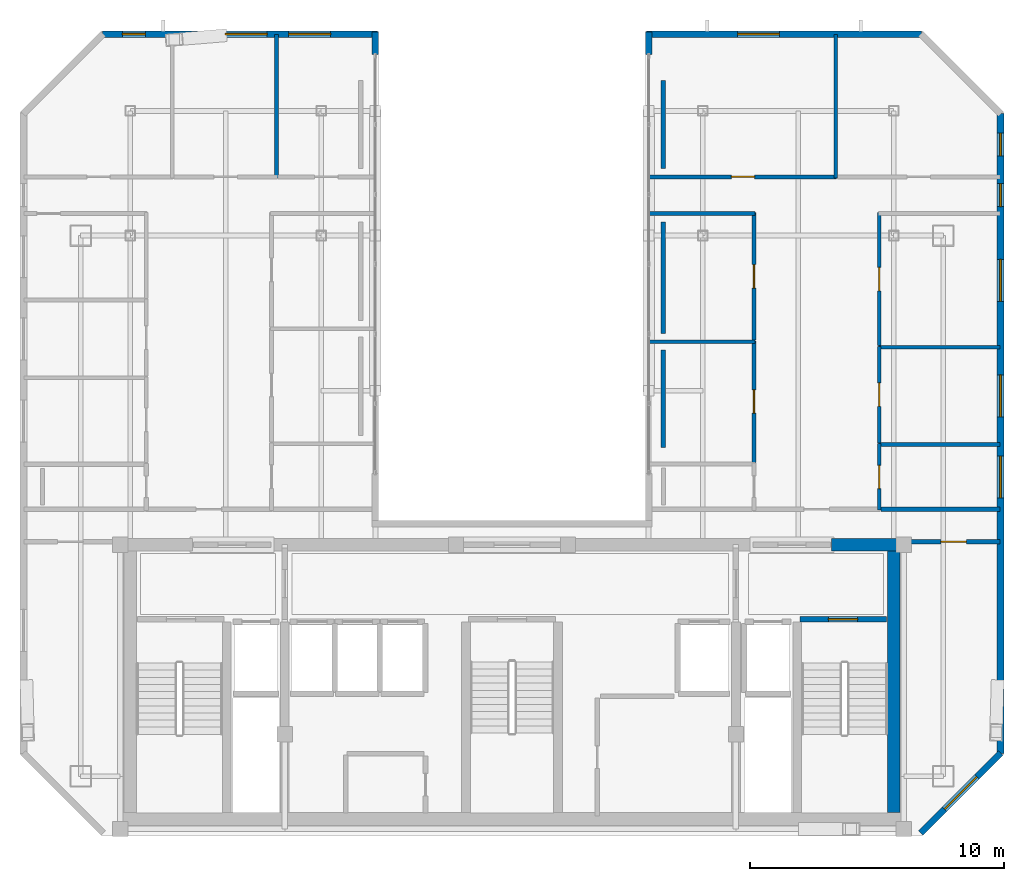
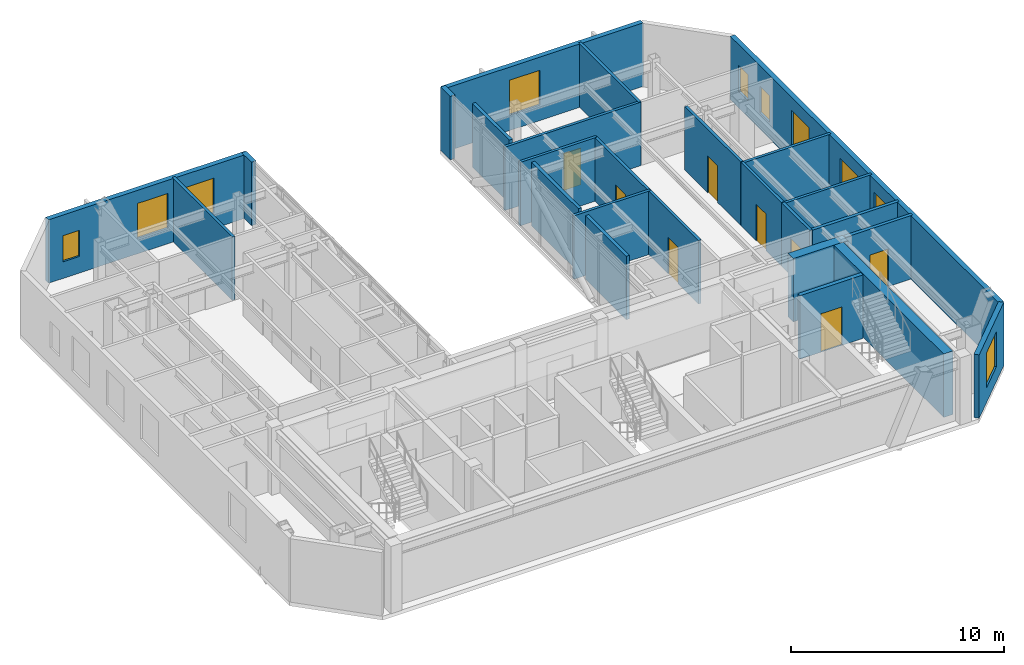
# One storey, part 16 of 18: 26 walls, 10 windows, 8 doors, 18 openings.
"""IFC4 building model written with IfcOpenShell, lengths in metres."""

from ifc_helpers import new_model, si_unit, direction, frame, frame_2d, origin, place, context, subcontext, project, spatial, rectangle, extrude, material, layer, layer_set, type_object, element, fill, save


model = new_model("IFC4")

# Units and contexts
model_context = context("Model", 3, precision=1e-05, world=origin(), true_north=direction((0.0, 1.0)))
body_context = subcontext(model_context, "Body", "Model", "MODEL_VIEW")
ifc_project = project(units=[si_unit("LENGTHUNIT", "METRE"), si_unit("AREAUNIT", "SQUARE_METRE"), si_unit("VOLUMEUNIT", "CUBIC_METRE"), si_unit("PLANEANGLEUNIT", "RADIAN"), si_unit("MASSUNIT", "GRAM", prefix="KILO")], contexts=[model_context])

# Site, building, storey
site_placement = place(None, origin())
site = spatial("IfcSite", under=ifc_project, at=site_placement, CompositionType="ELEMENT")
building_placement = place(site_placement, origin())
building = spatial("IfcBuilding", under=site, at=building_placement, Name="Ventersveld Concourse Tower", CompositionType="ELEMENT")
storey_placement = place(building_placement, frame((0.0, 0.0, 341.35009765625)))
storey = spatial("IfcBuildingStorey", under=building, at=storey_placement, Name="L84", CompositionType="ELEMENT", Elevation=341.35009765625)

# Walls
ifc_material_1 = material(Name="Concrete C50/60", Category="concrete")
ifc_layer_1 = layer(ifc_material_1, 0.5)
ifc_layer_set_1 = layer_set([ifc_layer_1], Name="Concrete C50/60")
wall_type_1 = type_object("IfcWallType", Name="WL-CORE-500", PredefinedType="SHEAR", material=ifc_layer_set_1)
wall_1_placement = place(storey_placement, frame((43.75, 0.919921875, 0.0), z_axis=(0.0, 0.0, 1.0), x_axis=(0.0, 1.0, 0.0)))
element("IfcWall", 1, at=wall_1_placement, inside=storey, type_object=wall_type_1, Name="L84 Rear Core East Shear Wall", PredefinedType="SHEAR", context=body_context, shape_type="SweptSolid", body=[
    extrude(rectangle(XDim=10.530029296875, YDim=0.5, at=frame_2d((5.26513671875, 0.0))), origin(), (0.0, 0.0, 1.0), 3.6298828125),
])
wall_2_placement = place(storey_placement, frame((41.300048828125, 11.449951171875, 0.0), z_axis=(0.0, 0.0, 1.0), x_axis=(1.0, 0.0, 0.0)))
element("IfcWall", 2, at=wall_2_placement, inside=storey, type_object=wall_type_1, Name="L84 Rear Core North Shear Wall NE", PredefinedType="SHEAR", context=body_context, shape_type="SweptSolid", body=[
    extrude(rectangle(XDim=2.949951171875, YDim=0.5, at=frame_2d((1.47509765625, 0.0))), origin(), (0.0, 0.0, 1.0), 3.6298828125),
])

# Wall, opening, door
ifc_material_2 = material(Name="Fire-rated autoclaved aerated masonry blockwork", Category="masonry")
ifc_layer_2 = layer(ifc_material_2, 0.179931640625)
ifc_layer_set_2 = layer_set([ifc_layer_2], Name="Fire-rated autoclaved aerated masonry blockwork")
wall_type_2 = type_object("IfcWallType", Name="WL-CORR-180", PredefinedType="PARTITIONING", material=ifc_layer_set_2)
wall_3_placement = place(storey_placement, frame((44.284912109375, 11.570068359375, 0.0), z_axis=(0.0, 0.0, 1.0), x_axis=(1.0, 0.0, 0.0)))
wall_3 = element("IfcWall", 3, at=wall_3_placement, inside=storey, type_object=wall_type_2, Name="L84 Interior Partition SP-L84-COR-E-SP-L84-SELNG", PredefinedType="PARTITIONING", context=body_context, shape_type="SweptSolid", body=[
    extrude(rectangle(XDim=3.64599609375, YDim=0.179931640625, at=frame_2d((1.822998046875, 0.0))), origin(), (0.0, 0.0, 1.0), 3.6298828125),
])
opening_1_placement = place(wall_3_placement, frame((1.322998046875, 0.0, 0.0)))
opening_1 = element("IfcOpeningElement", 4, at=opening_1_placement, cuts=wall_3, Name="Opening FD3", PredefinedType="OPENING", context=body_context, shape_type="SweptSolid", body=[
    extrude(rectangle(XDim=1.0, YDim=2.14990234375, at=frame_2d((0.5, 1.074951171875))), frame((0.0, 0.10009765625, 0.0), z_axis=(0.0, -1.0, 0.0), x_axis=(1.0, 0.0, 0.0)), (0.0, 0.0, 1.0), 0.199951171875),
])
ifc_material_3 = material(Name="Solid-core hardwood veneer timber", Category="wood")
door_type_1 = type_object("IfcDoorType", Name="DR-FLAT-100", OperationType="NOTDEFINED", PredefinedType="DOOR", material=ifc_material_3)
door_1_placement = place(opening_1_placement, origin())
door_1 = element("IfcDoor", 5, at=door_1_placement, inside=storey, type_object=door_type_1, Name="L84 Interior Door SP-L84-COR-E to SP-L84-SELNG (D-L84-3780)", OperationType="SINGLE_SWING_RIGHT", OverallHeight=2.14990234375, OverallWidth=1.0, PredefinedType="DOOR", context=body_context, shape_type="SweptSolid", body=[
    extrude(rectangle(XDim=1.0, YDim=2.14990234375, at=frame_2d((0.5, 1.074951171875))), frame((0.0, 0.02490234375, 0.0), z_axis=(0.0, -1.0, 0.0), x_axis=(1.0, 0.0, 0.0)), (0.0, 0.0, 1.0), 0.050048828125),
])
fill(opening_1, door_1)

# Walls
wall_4_placement = place(storey_placement, frame((43.245361328125, 12.840087890625, 0.0), z_axis=(0.0, 0.0, 1.0), x_axis=(1.0, 0.0, 0.0)))
element("IfcWall", 6, at=wall_4_placement, inside=storey, type_object=wall_type_2, Name="L84 Interior Partition SP-L84-COR-E-SP-L84-84EB-KIT", PredefinedType="PARTITIONING", context=body_context, shape_type="SweptSolid", body=[
    extrude(rectangle(XDim=4.685546875, YDim=0.179931640625, at=frame_2d((2.3427734375, 0.0))), origin(), (0.0, 0.0, 1.0), 3.6298828125),
])
wall_5_placement = place(storey_placement, frame((34.699951171875, 15.2666015625, 0.0), z_axis=(0.0, 0.0, 1.0), x_axis=(0.0, 1.0, 0.0)))
element("IfcWall", 7, at=wall_5_placement, inside=storey, type_object=wall_type_2, Name="L84 Room Enclosure Wall SP-L84-84EB-OFFL0", PredefinedType="PARTITIONING", context=body_context, shape_type="SweptSolid", body=[
    extrude(rectangle(XDim=3.83935546875, YDim=0.179931640625, at=frame_2d((1.919677734375, 0.0))), origin(), (0.0, 0.0, 1.0), 3.6298828125),
])
wall_6_placement = place(storey_placement, frame((34.699951171875, 19.755859375, 0.0), z_axis=(0.0, 0.0, 1.0), x_axis=(0.0, 1.0, 0.0)))
element("IfcWall", 8, at=wall_6_placement, inside=storey, type_object=wall_type_2, Name="L84 Room Enclosure Wall SP-L84-84EB-SEML2", PredefinedType="PARTITIONING", context=body_context, shape_type="SweptSolid", body=[
    extrude(rectangle(XDim=4.38720703125, YDim=0.179931640625, at=frame_2d((2.193603515625, 0.0))), origin(), (0.0, 0.0, 1.0), 3.6298828125),
])
wall_7_placement = place(storey_placement, frame((34.699951171875, 26.233154296875, 0.0), z_axis=(0.0, 0.0, 1.0), x_axis=(0.0, 1.0, 0.0)))
element("IfcWall", 9, at=wall_7_placement, inside=storey, type_object=wall_type_2, Name="L84 Room Enclosure Wall SP-L84-84EB-BR1", PredefinedType="PARTITIONING", context=body_context, shape_type="SweptSolid", body=[
    extrude(rectangle(XDim=3.45849609375, YDim=0.179931640625, at=frame_2d((1.729248046875, 0.0))), origin(), (0.0, 0.0, 1.0), 3.6298828125),
])

# Wall, opening, door
ifc_layer_3 = layer(ifc_material_2, 0.219970703125)
ifc_layer_set_3 = layer_set([ifc_layer_3], Name="Fire-rated autoclaved aerated masonry blockwork")
wall_type_3 = type_object("IfcWallType", Name="WL-HOIST-220", PredefinedType="SOLIDWALL", material=ifc_layer_set_3)
wall_8_placement = place(storey_placement, frame((40.06005859375, 8.52001953125, 0.0), z_axis=(0.0, 0.0, 1.0), x_axis=(1.0, 0.0, 0.0)))
wall_8 = element("IfcWall", 10, at=wall_8_placement, inside=storey, type_object=wall_type_3, Name="L84 Escape Stair ST02 Fire Wall", PredefinedType="SOLIDWALL", context=body_context, shape_type="SweptSolid", body=[
    extrude(rectangle(XDim=3.39990234375, YDim=0.219970703125, at=frame_2d((1.699951171875, 0.0))), origin(), (0.0, 0.0, 1.0), 3.6298828125),
])
opening_2_placement = place(wall_8_placement, frame((1.125, 0.0, 0.0)))
opening_2 = element("IfcOpeningElement", 11, at=opening_2_placement, cuts=wall_8, Name="Opening FD1", PredefinedType="OPENING", context=body_context, shape_type="SweptSolid", body=[
    extrude(rectangle(XDim=1.14990234375, YDim=2.199951171875, at=frame_2d((0.574951171875, 1.10009765625))), frame((0.0, 0.1201171875, 0.0), z_axis=(0.0, -1.0, 0.0), x_axis=(1.0, 0.0, 0.0)), (0.0, 0.0, 1.0), 0.239990234375),
])
ifc_material_4 = material(Name="Galvanised painted steel", Category="steel")
door_type_2 = type_object("IfcDoorType", Name="DR-STAIR-115", OperationType="NOTDEFINED", PredefinedType="DOOR", material=ifc_material_4)
door_2_placement = place(opening_2_placement, origin())
door_2 = element("IfcDoor", 12, at=door_2_placement, inside=storey, type_object=door_type_2, Name="L84 Escape Stair Door ST02 (SD-L84-3769)", OperationType="SINGLE_SWING_RIGHT", OverallHeight=2.199951171875, OverallWidth=1.14990234375, PredefinedType="DOOR", context=body_context, shape_type="SweptSolid", body=[
    extrude(rectangle(XDim=1.14990234375, YDim=2.199951171875, at=frame_2d((0.574951171875, 1.10009765625))), frame((0.0, 0.02490234375, 0.0), z_axis=(0.0, -1.0, 0.0), x_axis=(1.0, 0.0, 0.0)), (0.0, 0.0, 1.0), 0.050048828125),
])
fill(opening_2, door_2)

# Wall
ifc_material_5 = material(Name="Autoclaved aerated masonry blockwork", Category="masonry")
ifc_layer_4 = layer(ifc_material_5, 0.14990234375)
ifc_layer_set_4 = layer_set([ifc_layer_4], Name="Autoclaved aerated masonry blockwork")
wall_type_4 = type_object("IfcWallType", Name="WL-INT-150", PredefinedType="PARTITIONING", material=ifc_layer_set_4)
wall_9_placement = place(storey_placement, frame((19.489990234375, 25.873046875, 0.0), z_axis=(0.0, 0.0, 1.0), x_axis=(0.0, 1.0, 0.0)))
element("IfcWall", 13, at=wall_9_placement, inside=storey, type_object=wall_type_4, Name="L84 Interior Partition SP-L84-84WA-BR2-SP-L84-84WA-BR3", PredefinedType="PARTITIONING", context=body_context, shape_type="SweptSolid", body=[
    extrude(rectangle(XDim=5.62548828125, YDim=0.14990234375, at=frame_2d((2.812744140625, 0.0))), origin(), (0.0, 0.0, 1.0), 3.6298828125),
])

# Wall, opening, door
wall_10_placement = place(storey_placement, frame((38.26025390625, 14.69140625, 0.0), z_axis=(0.0, 0.0, 1.0), x_axis=(0.0, 1.0, 0.0)))
wall_10 = element("IfcWall", 14, at=wall_10_placement, inside=storey, type_object=wall_type_4, Name="L84 Interior Partition SP-L84-84EB-LIV-SP-L84-84EB-OFFL0", PredefinedType="PARTITIONING", context=body_context, shape_type="SweptSolid", body=[
    extrude(rectangle(XDim=4.7744140625, YDim=0.14990234375, at=frame_2d((2.38720703125, 0.0))), origin(), (0.0, 0.0, 1.0), 3.6298828125),
])
opening_3_placement = place(wall_10_placement, frame((1.92724609375, 0.0, 0.0)))
opening_3 = element("IfcOpeningElement", 15, at=opening_3_placement, cuts=wall_10, Name="Opening ID1", PredefinedType="OPENING", context=body_context, shape_type="SweptSolid", body=[
    extrude(rectangle(XDim=0.919921875, YDim=2.10009765625, at=frame_2d((0.4599609375, 1.050048828125))), frame((0.0, 0.0849609375, 0.0), z_axis=(0.0, -1.0, 0.0), x_axis=(1.0, 0.0, 0.0)), (0.0, 0.0, 1.0), 0.169921875),
])
door_type_3 = type_object("IfcDoorType", Name="DR-ROOM-092", OperationType="NOTDEFINED", PredefinedType="DOOR", material=ifc_material_3)
door_3_placement = place(opening_3_placement, origin())
door_3 = element("IfcDoor", 16, at=door_3_placement, inside=storey, type_object=door_type_3, Name="L84 Interior Door SP-L84-84EB-LIV to SP-L84-84EB-OFFL0 (D-L84-3793)", OperationType="SINGLE_SWING_LEFT", OverallHeight=2.10009765625, OverallWidth=0.919921875, PredefinedType="DOOR", context=body_context, shape_type="SweptSolid", body=[
    extrude(rectangle(XDim=0.919921875, YDim=2.10009765625, at=frame_2d((0.4599609375, 1.050048828125))), frame((0.0, 0.02490234375, 0.0), z_axis=(0.0, -1.0, 0.0), x_axis=(1.0, 0.0, 0.0)), (0.0, 0.0, 1.0), 0.050048828125),
])
fill(opening_3, door_3)

wall_11_placement = place(storey_placement, frame((38.26025390625, 19.495849609375, 0.0), z_axis=(0.0, 0.0, 1.0), x_axis=(0.0, 1.0, 0.0)))
wall_11 = element("IfcWall", 17, at=wall_11_placement, inside=storey, type_object=wall_type_4, Name="L84 Interior Partition SP-L84-84EB-LIV-SP-L84-84EB-SEML2", PredefinedType="PARTITIONING", context=body_context, shape_type="SweptSolid", body=[
    extrude(rectangle(XDim=5.00732421875, YDim=0.14990234375, at=frame_2d((2.503662109375, 0.0))), origin(), (0.0, 0.0, 1.0), 3.6298828125),
])
opening_4_placement = place(wall_11_placement, frame((2.043701171875, 0.0, 0.0)))
opening_4 = element("IfcOpeningElement", 18, at=opening_4_placement, cuts=wall_11, Name="Opening ID1", PredefinedType="OPENING", context=body_context, shape_type="SweptSolid", body=[
    extrude(rectangle(XDim=0.919921875, YDim=2.10009765625, at=frame_2d((0.4599609375, 1.050048828125))), frame((0.0, 0.0849609375, 0.0), z_axis=(0.0, -1.0, 0.0), x_axis=(1.0, 0.0, 0.0)), (0.0, 0.0, 1.0), 0.169921875),
])
door_4_placement = place(opening_4_placement, origin())
door_4 = element("IfcDoor", 19, at=door_4_placement, inside=storey, type_object=door_type_3, Name="L84 Interior Door SP-L84-84EB-LIV to SP-L84-84EB-SEML2 (D-L84-3794)", OperationType="SINGLE_SWING_RIGHT", OverallHeight=2.10009765625, OverallWidth=0.919921875, PredefinedType="DOOR", context=body_context, shape_type="SweptSolid", body=[
    extrude(rectangle(XDim=0.919921875, YDim=2.10009765625, at=frame_2d((0.4599609375, 1.050048828125))), frame((0.0, 0.02490234375, 0.0), z_axis=(0.0, -1.0, 0.0), x_axis=(1.0, 0.0, 0.0)), (0.0, 0.0, 1.0), 0.050048828125),
])
fill(opening_4, door_4)

# Wall
wall_12_placement = place(storey_placement, frame((34.14794921875, 24.468017578125, 0.0), z_axis=(0.0, 0.0, 1.0), x_axis=(1.0, 0.0, 0.0)))
element("IfcWall", 20, at=wall_12_placement, inside=storey, type_object=wall_type_4, Name="L84 Interior Partition SP-L84-84EB-LIV-SP-L84-84EB-SEML2", PredefinedType="PARTITIONING", context=body_context, shape_type="SweptSolid", body=[
    extrude(rectangle(XDim=4.1474609375, YDim=0.14990234375, at=frame_2d((2.07373046875, 0.0))), origin(), (0.0, 0.0, 1.0), 3.6298828125),
])

# Wall, opening, door
wall_13_placement = place(storey_placement, frame((43.180419921875, 12.804931640625, 0.0), z_axis=(0.0, 0.0, 1.0), x_axis=(0.0, 1.0, 0.0)))
wall_13 = element("IfcWall", 21, at=wall_13_placement, inside=storey, type_object=wall_type_4, Name="L84 Interior Partition SP-L84-84EB-LIV-SP-L84-84EB-KIT", PredefinedType="PARTITIONING", context=body_context, shape_type="SweptSolid", body=[
    extrude(rectangle(XDim=2.6142578125, YDim=0.14990234375, at=frame_2d((1.30712890625, 0.0))), origin(), (0.0, 0.0, 1.0), 3.6298828125),
])
opening_5_placement = place(wall_13_placement, frame((0.84716796875, 0.0, 0.0)))
opening_5 = element("IfcOpeningElement", 22, at=opening_5_placement, cuts=wall_13, Name="Opening ID1", PredefinedType="OPENING", context=body_context, shape_type="SweptSolid", body=[
    extrude(rectangle(XDim=0.919921875, YDim=2.10009765625, at=frame_2d((0.4599609375, 1.050048828125))), frame((0.0, 0.0849609375, 0.0), z_axis=(0.0, -1.0, 0.0), x_axis=(1.0, 0.0, 0.0)), (0.0, 0.0, 1.0), 0.169921875),
])
door_5_placement = place(opening_5_placement, origin())
door_5 = element("IfcDoor", 23, at=door_5_placement, inside=storey, type_object=door_type_3, Name="L84 Interior Door SP-L84-84EB-LIV to SP-L84-84EB-KIT (D-L84-3795)", OperationType="SINGLE_SWING_LEFT", OverallHeight=2.10009765625, OverallWidth=0.919921875, PredefinedType="DOOR", context=body_context, shape_type="SweptSolid", body=[
    extrude(rectangle(XDim=0.919921875, YDim=2.10009765625, at=frame_2d((0.4599609375, 1.050048828125))), frame((0.0, 0.02490234375, 0.0), z_axis=(0.0, -1.0, 0.0), x_axis=(1.0, 0.0, 0.0)), (0.0, 0.0, 1.0), 0.050048828125),
])
fill(opening_5, door_5)

wall_14_placement = place(storey_placement, frame((43.180419921875, 15.44921875, 0.0), z_axis=(0.0, 0.0, 1.0), x_axis=(0.0, 1.0, 0.0)))
wall_14 = element("IfcWall", 24, at=wall_14_placement, inside=storey, type_object=wall_type_4, Name="L84 Interior Partition SP-L84-84EB-LIV-SP-L84-84EB-SEMR1", PredefinedType="PARTITIONING", context=body_context, shape_type="SweptSolid", body=[
    extrude(rectangle(XDim=3.794189453125, YDim=0.14990234375, at=frame_2d((1.89697265625, 0.0))), origin(), (0.0, 0.0, 1.0), 3.6298828125),
])
opening_6_placement = place(wall_14_placement, frame((1.437255859375, 0.0, 0.0)))
opening_6 = element("IfcOpeningElement", 25, at=opening_6_placement, cuts=wall_14, Name="Opening ID1", PredefinedType="OPENING", context=body_context, shape_type="SweptSolid", body=[
    extrude(rectangle(XDim=0.919921875, YDim=2.10009765625, at=frame_2d((0.4599609375, 1.050048828125))), frame((0.0, 0.0849609375, 0.0), z_axis=(0.0, -1.0, 0.0), x_axis=(1.0, 0.0, 0.0)), (0.0, 0.0, 1.0), 0.169921875),
])
door_6_placement = place(opening_6_placement, origin())
door_6 = element("IfcDoor", 26, at=door_6_placement, inside=storey, type_object=door_type_3, Name="L84 Interior Door SP-L84-84EB-LIV to SP-L84-84EB-SEMR1 (D-L84-3796)", OperationType="SINGLE_SWING_RIGHT", OverallHeight=2.10009765625, OverallWidth=0.919921875, PredefinedType="DOOR", context=body_context, shape_type="SweptSolid", body=[
    extrude(rectangle(XDim=0.919921875, YDim=2.10009765625, at=frame_2d((0.4599609375, 1.050048828125))), frame((0.0, 0.02490234375, 0.0), z_axis=(0.0, -1.0, 0.0), x_axis=(1.0, 0.0, 0.0)), (0.0, 0.0, 1.0), 0.050048828125),
])
fill(opening_6, door_6)

wall_15_placement = place(storey_placement, frame((43.180419921875, 19.2734375, 0.0), z_axis=(0.0, 0.0, 1.0), x_axis=(0.0, 1.0, 0.0)))
wall_15 = element("IfcWall", 27, at=wall_15_placement, inside=storey, type_object=wall_type_4, Name="L84 Interior Partition SP-L84-84EB-LIV-SP-L84-84EB-SEMR3", PredefinedType="PARTITIONING", context=body_context, shape_type="SweptSolid", body=[
    extrude(rectangle(XDim=5.229736328125, YDim=0.14990234375, at=frame_2d((2.61474609375, 0.0))), origin(), (0.0, 0.0, 1.0), 3.6298828125),
])
opening_7_placement = place(wall_15_placement, frame((2.15478515625, 0.0, 0.0)))
opening_7 = element("IfcOpeningElement", 28, at=opening_7_placement, cuts=wall_15, Name="Opening ID1", PredefinedType="OPENING", context=body_context, shape_type="SweptSolid", body=[
    extrude(rectangle(XDim=0.919921875, YDim=2.10009765625, at=frame_2d((0.4599609375, 1.050048828125))), frame((0.0, 0.0849609375, 0.0), z_axis=(0.0, -1.0, 0.0), x_axis=(1.0, 0.0, 0.0)), (0.0, 0.0, 1.0), 0.169921875),
])
door_7_placement = place(opening_7_placement, origin())
door_7 = element("IfcDoor", 29, at=door_7_placement, inside=storey, type_object=door_type_3, Name="L84 Interior Door SP-L84-84EB-LIV to SP-L84-84EB-SEMR3 (D-L84-3797)", OperationType="SINGLE_SWING_LEFT", OverallHeight=2.10009765625, OverallWidth=0.919921875, PredefinedType="DOOR", context=body_context, shape_type="SweptSolid", body=[
    extrude(rectangle(XDim=0.919921875, YDim=2.10009765625, at=frame_2d((0.4599609375, 1.050048828125))), frame((0.0, 0.02490234375, 0.0), z_axis=(0.0, -1.0, 0.0), x_axis=(1.0, 0.0, 0.0)), (0.0, 0.0, 1.0), 0.050048828125),
])
fill(opening_7, door_7)

wall_16_placement = place(storey_placement, frame((34.14794921875, 25.908203125, 0.0), z_axis=(0.0, 0.0, 1.0), x_axis=(1.0, 0.0, 0.0)))
wall_16 = element("IfcWall", 30, at=wall_16_placement, inside=storey, type_object=wall_type_4, Name="L84 Interior Partition SP-L84-84EB-LIV-SP-L84-84EB-BR1", PredefinedType="PARTITIONING", context=body_context, shape_type="SweptSolid", body=[
    extrude(rectangle(XDim=7.362548828125, YDim=0.14990234375, at=frame_2d((3.68115234375, 0.0))), origin(), (0.0, 0.0, 1.0), 3.6298828125),
])
opening_8_placement = place(wall_16_placement, frame((3.22119140625, 0.0, 0.0)))
opening_8 = element("IfcOpeningElement", 31, at=opening_8_placement, cuts=wall_16, Name="Opening ID1", PredefinedType="OPENING", context=body_context, shape_type="SweptSolid", body=[
    extrude(rectangle(XDim=0.919921875, YDim=2.10009765625, at=frame_2d((0.4599609375, 1.050048828125))), frame((0.0, 0.0849609375, 0.0), z_axis=(0.0, -1.0, 0.0), x_axis=(1.0, 0.0, 0.0)), (0.0, 0.0, 1.0), 0.169921875),
])
door_8_placement = place(opening_8_placement, origin())
door_8 = element("IfcDoor", 32, at=door_8_placement, inside=storey, type_object=door_type_3, Name="L84 Interior Door SP-L84-84EB-LIV to SP-L84-84EB-BR1 (D-L84-3798)", OperationType="SINGLE_SWING_RIGHT", OverallHeight=2.10009765625, OverallWidth=0.919921875, PredefinedType="DOOR", context=body_context, shape_type="SweptSolid", body=[
    extrude(rectangle(XDim=0.919921875, YDim=2.10009765625, at=frame_2d((0.4599609375, 1.050048828125))), frame((0.0, 0.02490234375, 0.0), z_axis=(0.0, -1.0, 0.0), x_axis=(1.0, 0.0, 0.0)), (0.0, 0.0, 1.0), 0.050048828125),
])
fill(opening_8, door_8)

# Walls
wall_17_placement = place(storey_placement, frame((34.14794921875, 19.430908203125, 0.0), z_axis=(0.0, 0.0, 1.0), x_axis=(1.0, 0.0, 0.0)))
element("IfcWall", 33, at=wall_17_placement, inside=storey, type_object=wall_type_4, Name="L84 Interior Partition SP-L84-84EB-OFFL0-SP-L84-84EB-SEML2", PredefinedType="PARTITIONING", context=body_context, shape_type="SweptSolid", body=[
    extrude(rectangle(XDim=4.1474609375, YDim=0.14990234375, at=frame_2d((2.07373046875, 0.0))), origin(), (0.0, 0.0, 1.0), 3.6298828125),
])
for number, where, z_axis, x_axis, name in (
    (34, (43.145263671875, 15.384033203125, 0.0), (0.0, 0.0, 1.0), (1.0, 0.0, 0.0), "L84 Interior Partition SP-L84-84EB-KIT-SP-L84-84EB-SEMR1"),
    (35, (43.145263671875, 19.20849609375, 0.0), (0.0, 0.0, 1.0), (1.0, 0.0, 0.0), "L84 Interior Partition SP-L84-84EB-SEMR1-SP-L84-84EB-SEMR3"),
):
    element("IfcWall", number, at=place(storey_placement, frame(where, z_axis=z_axis, x_axis=x_axis)), inside=storey, type_object=wall_type_4, Name=name, PredefinedType="PARTITIONING", context=body_context, shape_type="SweptSolid", body=[
        extrude(rectangle(XDim=4.78564453125, YDim=0.14990234375, at=frame_2d((2.392822265625, 0.0))), origin(), (0.0, 0.0, 1.0), 3.6298828125),
    ])
wall_18_placement = place(storey_placement, frame((41.4755859375, 25.873046875, 0.0), z_axis=(0.0, 0.0, 1.0), x_axis=(0.0, 1.0, 0.0)))
element("IfcWall", 36, at=wall_18_placement, inside=storey, type_object=wall_type_4, Name="L84 Interior Partition SP-L84-84EB-BR1-SP-L84-84EB-BR2", PredefinedType="PARTITIONING", context=body_context, shape_type="SweptSolid", body=[
    extrude(rectangle(XDim=5.62548828125, YDim=0.14990234375, at=frame_2d((2.812744140625, 0.0))), origin(), (0.0, 0.0, 1.0), 3.6298828125),
])

# Wall, opening, window
ifc_material_6 = material(Name="Precast concrete C45/55", Category="concrete")
ifc_layer_5 = layer(ifc_material_6, 0.260009765625)
ifc_layer_set_5 = layer_set([ifc_layer_5], Name="Precast concrete C45/55")
wall_type_5 = type_object("IfcWallType", Name="WL-PREC-260", PredefinedType="SOLIDWALL", material=ifc_layer_set_5)
wall_19_placement = place(storey_placement, frame((44.81689453125, 0.1201171875, 0.0), z_axis=(0.0, 0.0, 1.0), x_axis=(0.707079321262, 0.707134240044, 0.0)))
wall_19 = element("IfcWall", 37, at=wall_19_placement, inside=storey, type_object=wall_type_5, Name="L84 Highveld Precast Facade Wall E02", PredefinedType="SOLIDWALL", context=body_context, shape_type="SweptSolid", body=[
    extrude(rectangle(XDim=4.445556640625, YDim=0.260009765625, at=frame_2d((2.22265625, 0.0))), origin(), (0.0, 0.0, 1.0), 3.6298828125),
])
opening_9_placement = place(wall_19_placement, frame((1.32275390625, 0.0, 0.85009765625)))
opening_9 = element("IfcOpeningElement", 38, at=opening_9_placement, cuts=wall_19, Name="Opening W2", PredefinedType="OPENING", context=body_context, shape_type="SweptSolid", body=[
    extrude(rectangle(XDim=1.800048828125, YDim=2.0, at=frame_2d((0.89990234375, 1.0))), frame((0.0, 0.14013671875, 0.0), z_axis=(0.0, -1.0, 0.0), x_axis=(1.0, 0.0, 0.0)), (0.0, 0.0, 1.0), 0.280029296875),
])
ifc_material_7 = material(Name="Tempered acoustic Low-E IGU", Category="glass")
window_type_1 = type_object("IfcWindowType", Name="WIN-180x210", PartitioningType="SINGLE_PANEL", PredefinedType="WINDOW", material=ifc_material_7)
window_1_placement = place(opening_9_placement, origin())
window_1 = element("IfcWindow", 39, at=window_1_placement, inside=storey, type_object=window_type_1, Name="L84 Punched Low-E Window W-1175", OverallHeight=2.0, OverallWidth=1.800048828125, PartitioningType="SINGLE_PANEL", PredefinedType="WINDOW", context=body_context, shape_type="SweptSolid", body=[
    extrude(rectangle(XDim=1.800048828125, YDim=2.0, at=frame_2d((0.89990234375, 1.0))), frame((0.0, 0.030029296875, 0.0), z_axis=(0.0, -1.0, 0.0), x_axis=(1.0, 0.0, 0.0)), (0.0, 0.0, 1.0), 0.06005859375),
])
fill(opening_9, window_1)

# Wall, openings, windows
wall_20_placement = place(storey_placement, frame((47.950439453125, 3.239990234375, 0.0), z_axis=(0.0, 0.0, 1.0), x_axis=(0.0, 1.0, 0.0)))
wall_20 = element("IfcWall", 40, at=wall_20_placement, inside=storey, type_object=wall_type_5, Name="L84 Highveld Precast Facade Wall E03", PredefinedType="SOLIDWALL", context=body_context, shape_type="SweptSolid", body=[
    extrude(rectangle(XDim=25.168212890625, YDim=0.260009765625, at=frame_2d((12.583984375, 0.0))), origin(), (0.0, 0.0, 1.0), 3.6298828125),
])
opening_10_placement = place(wall_20_placement, frame((21.498046875, 0.0, 0.949951171875)))
opening_10 = element("IfcOpeningElement", 41, at=opening_10_placement, cuts=wall_20, Name="Opening W4", PredefinedType="OPENING", context=body_context, shape_type="SweptSolid", body=[
    extrude(rectangle(XDim=0.89990234375, YDim=1.5, at=frame_2d((0.449951171875, 0.75))), frame((0.0, 0.14013671875, 0.0), z_axis=(0.0, -1.0, 0.0), x_axis=(1.0, 0.0, 0.0)), (0.0, 0.0, 1.0), 0.280029296875),
])
opening_11_placement = place(wall_20_placement, frame((10.047119140625, 0.0, 0.8798828125)))
opening_11 = element("IfcOpeningElement", 42, at=opening_11_placement, cuts=wall_20, Name="Opening W6", PredefinedType="OPENING", context=body_context, shape_type="SweptSolid", body=[
    extrude(rectangle(XDim=1.64990234375, YDim=2.0, at=frame_2d((0.824951171875, 1.0))), frame((0.0, 0.14013671875, 0.0), z_axis=(0.0, -1.0, 0.0), x_axis=(1.0, 0.0, 0.0)), (0.0, 0.0, 1.0), 0.280029296875),
])
opening_12_placement = place(wall_20_placement, frame((13.231201171875, 0.0, 0.8798828125)))
opening_12 = element("IfcOpeningElement", 43, at=opening_12_placement, cuts=wall_20, Name="Opening W6", PredefinedType="OPENING", context=body_context, shape_type="SweptSolid", body=[
    extrude(rectangle(XDim=1.64990234375, YDim=2.0, at=frame_2d((0.824951171875, 1.0))), frame((0.0, 0.14013671875, 0.0), z_axis=(0.0, -1.0, 0.0), x_axis=(1.0, 0.0, 0.0)), (0.0, 0.0, 1.0), 0.280029296875),
])
opening_13_placement = place(wall_20_placement, frame((17.773193359375, 0.0, 0.8798828125)))
opening_13 = element("IfcOpeningElement", 44, at=opening_13_placement, cuts=wall_20, Name="Opening W6", PredefinedType="OPENING", context=body_context, shape_type="SweptSolid", body=[
    extrude(rectangle(XDim=1.64990234375, YDim=2.0, at=frame_2d((0.824951171875, 1.0))), frame((0.0, 0.14013671875, 0.0), z_axis=(0.0, -1.0, 0.0), x_axis=(1.0, 0.0, 0.0)), (0.0, 0.0, 1.0), 0.280029296875),
])
opening_14_placement = place(wall_20_placement, frame((23.488037109375, 0.0, 0.949951171875)))
opening_14 = element("IfcOpeningElement", 45, at=opening_14_placement, cuts=wall_20, Name="Opening W4", PredefinedType="OPENING", context=body_context, shape_type="SweptSolid", body=[
    extrude(rectangle(XDim=0.89990234375, YDim=1.5, at=frame_2d((0.449951171875, 0.75))), frame((0.0, 0.14013671875, 0.0), z_axis=(0.0, -1.0, 0.0), x_axis=(1.0, 0.0, 0.0)), (0.0, 0.0, 1.0), 0.280029296875),
])
window_type_2 = type_object("IfcWindowType", Name="WIN-090x150", PartitioningType="SINGLE_PANEL", PredefinedType="WINDOW", material=ifc_material_7)
window_2_placement = place(opening_10_placement, origin())
window_2 = element("IfcWindow", 46, at=window_2_placement, inside=storey, type_object=window_type_2, Name="L84 Punched Low-E Window W-1183", OverallHeight=1.5, OverallWidth=0.89990234375, PartitioningType="SINGLE_PANEL", PredefinedType="WINDOW", context=body_context, shape_type="SweptSolid", body=[
    extrude(rectangle(XDim=0.89990234375, YDim=1.5, at=frame_2d((0.449951171875, 0.75))), frame((0.0, 0.030029296875, 0.0), z_axis=(0.0, -1.0, 0.0), x_axis=(1.0, 0.0, 0.0)), (0.0, 0.0, 1.0), 0.06005859375),
])
fill(opening_10, window_2)
window_3_placement = place(opening_14_placement, origin())
window_3 = element("IfcWindow", 47, at=window_3_placement, inside=storey, type_object=window_type_2, Name="L84 Punched Low-E Window W-1188", OverallHeight=1.5, OverallWidth=0.89990234375, PartitioningType="SINGLE_PANEL", PredefinedType="WINDOW", context=body_context, shape_type="SweptSolid", body=[
    extrude(rectangle(XDim=0.89990234375, YDim=1.5, at=frame_2d((0.449951171875, 0.75))), frame((0.0, 0.030029296875, 0.0), z_axis=(0.0, -1.0, 0.0), x_axis=(1.0, 0.0, 0.0)), (0.0, 0.0, 1.0), 0.06005859375),
])
fill(opening_14, window_3)
window_type_3 = type_object("IfcWindowType", Name="WIN-165x200", PartitioningType="SINGLE_PANEL", PredefinedType="WINDOW", material=ifc_material_7)
window_4_placement = place(opening_11_placement, origin())
window_4 = element("IfcWindow", 48, at=window_4_placement, inside=storey, type_object=window_type_3, Name="L84 Punched Low-E Window W-1184", OverallHeight=2.0, OverallWidth=1.64990234375, PartitioningType="SINGLE_PANEL", PredefinedType="WINDOW", context=body_context, shape_type="SweptSolid", body=[
    extrude(rectangle(XDim=1.64990234375, YDim=2.0, at=frame_2d((0.824951171875, 1.0))), frame((0.0, 0.030029296875, 0.0), z_axis=(0.0, -1.0, 0.0), x_axis=(1.0, 0.0, 0.0)), (0.0, 0.0, 1.0), 0.06005859375),
])
fill(opening_11, window_4)
window_5_placement = place(opening_12_placement, origin())
window_5 = element("IfcWindow", 49, at=window_5_placement, inside=storey, type_object=window_type_3, Name="L84 Punched Low-E Window W-1185", OverallHeight=2.0, OverallWidth=1.64990234375, PartitioningType="SINGLE_PANEL", PredefinedType="WINDOW", context=body_context, shape_type="SweptSolid", body=[
    extrude(rectangle(XDim=1.64990234375, YDim=2.0, at=frame_2d((0.824951171875, 1.0))), frame((0.0, 0.030029296875, 0.0), z_axis=(0.0, -1.0, 0.0), x_axis=(1.0, 0.0, 0.0)), (0.0, 0.0, 1.0), 0.06005859375),
])
fill(opening_12, window_5)
window_6_placement = place(opening_13_placement, origin())
window_6 = element("IfcWindow", 50, at=window_6_placement, inside=storey, type_object=window_type_3, Name="L84 Punched Low-E Window W-1186", OverallHeight=2.0, OverallWidth=1.64990234375, PartitioningType="SINGLE_PANEL", PredefinedType="WINDOW", context=body_context, shape_type="SweptSolid", body=[
    extrude(rectangle(XDim=1.64990234375, YDim=2.0, at=frame_2d((0.824951171875, 1.0))), frame((0.0, 0.030029296875, 0.0), z_axis=(0.0, -1.0, 0.0), x_axis=(1.0, 0.0, 0.0)), (0.0, 0.0, 1.0), 0.06005859375),
])
fill(opening_13, window_6)

# Wall, opening, window
wall_21_placement = place(storey_placement, frame((44.840576171875, 31.51806640625, 0.0), z_axis=(0.0, 0.0, 1.0), x_axis=(-1.0, 0.0, 0.0)))
wall_21 = element("IfcWall", 51, at=wall_21_placement, inside=storey, type_object=wall_type_5, Name="L84 Highveld Precast Facade Wall E05", PredefinedType="SOLIDWALL", context=body_context, shape_type="SweptSolid", body=[
    extrude(rectangle(XDim=10.800537109375, YDim=0.260009765625, at=frame_2d((5.400390625, 0.0))), origin(), (0.0, 0.0, 1.0), 3.6298828125),
])
opening_15_placement = place(wall_21_placement, frame((5.577392578125, 0.0, 0.8798828125)))
opening_15 = element("IfcOpeningElement", 52, at=opening_15_placement, cuts=wall_21, Name="Opening W6", PredefinedType="OPENING", context=body_context, shape_type="SweptSolid", body=[
    extrude(rectangle(XDim=1.64990234375, YDim=2.0, at=frame_2d((0.824951171875, 1.0))), frame((0.0, 0.14013671875, 0.0), z_axis=(0.0, -1.0, 0.0), x_axis=(1.0, 0.0, 0.0)), (0.0, 0.0, 1.0), 0.280029296875),
])
window_7_placement = place(opening_15_placement, origin())
window_7 = element("IfcWindow", 53, at=window_7_placement, inside=storey, type_object=window_type_3, Name="L84 Punched Low-E Window W-1187", OverallHeight=2.0, OverallWidth=1.64990234375, PartitioningType="SINGLE_PANEL", PredefinedType="WINDOW", context=body_context, shape_type="SweptSolid", body=[
    extrude(rectangle(XDim=1.64990234375, YDim=2.0, at=frame_2d((0.824951171875, 1.0))), frame((0.0, 0.030029296875, 0.0), z_axis=(0.0, -1.0, 0.0), x_axis=(1.0, 0.0, 0.0)), (0.0, 0.0, 1.0), 0.06005859375),
])
fill(opening_15, window_7)

# Walls
for number, where, z_axis, x_axis, name in (
    (54, (34.1298828125, 30.7080078125, 0.0), (0.0, 0.0, 1.0), (0.0, 1.0, 0.0), "L84 Wind Portal North Cheek Pier"),
    (55, (23.3701171875, 30.7080078125, 0.0), (0.0, 0.0, 1.0), (0.0, 1.0, 0.0), "L84 Wind Portal North Cheek Pier"),
):
    element("IfcWall", number, at=place(storey_placement, frame(where, z_axis=z_axis, x_axis=x_axis)), inside=storey, type_object=wall_type_5, Name=name, PredefinedType="SOLIDWALL", context=body_context, shape_type="SweptSolid", body=[
        extrude(rectangle(XDim=0.900146484375, YDim=0.260009765625, at=frame_2d((0.4501953125, 0.0))), origin(), (0.0, 0.0, 1.0), 3.6298828125),
    ])

# Wall, openings, windows
wall_22_placement = place(storey_placement, frame((23.4599609375, 31.51806640625, 0.0), z_axis=(0.0, 0.0, 1.0), x_axis=(-1.0, 0.0, 0.0)))
wall_22 = element("IfcWall", 56, at=wall_22_placement, inside=storey, type_object=wall_type_5, Name="L84 Highveld Precast Facade Wall E09", PredefinedType="SOLIDWALL", context=body_context, shape_type="SweptSolid", body=[
    extrude(rectangle(XDim=10.800537109375, YDim=0.260009765625, at=frame_2d((5.400390625, 0.0))), origin(), (0.0, 0.0, 1.0), 3.6298828125),
])
opening_16_placement = place(wall_22_placement, frame((9.12060546875, 0.0, 0.949951171875)))
opening_16 = element("IfcOpeningElement", 57, at=opening_16_placement, cuts=wall_22, Name="Opening W4", PredefinedType="OPENING", context=body_context, shape_type="SweptSolid", body=[
    extrude(rectangle(XDim=0.89990234375, YDim=1.5, at=frame_2d((0.449951171875, 0.75))), frame((0.0, 0.14013671875, 0.0), z_axis=(0.0, -1.0, 0.0), x_axis=(1.0, 0.0, 0.0)), (0.0, 0.0, 1.0), 0.280029296875),
])
opening_17_placement = place(wall_22_placement, frame((4.335205078125, 0.0, 0.8798828125)))
opening_17 = element("IfcOpeningElement", 58, at=opening_17_placement, cuts=wall_22, Name="Opening W6", PredefinedType="OPENING", context=body_context, shape_type="SweptSolid", body=[
    extrude(rectangle(XDim=1.64990234375, YDim=2.0, at=frame_2d((0.824951171875, 1.0))), frame((0.0, 0.14013671875, 0.0), z_axis=(0.0, -1.0, 0.0), x_axis=(1.0, 0.0, 0.0)), (0.0, 0.0, 1.0), 0.280029296875),
])
opening_18_placement = place(wall_22_placement, frame((1.84033203125, 0.0, 0.8798828125)))
opening_18 = element("IfcOpeningElement", 59, at=opening_18_placement, cuts=wall_22, Name="Opening W6", PredefinedType="OPENING", context=body_context, shape_type="SweptSolid", body=[
    extrude(rectangle(XDim=1.64990234375, YDim=2.0, at=frame_2d((0.824951171875, 1.0))), frame((0.0, 0.14013671875, 0.0), z_axis=(0.0, -1.0, 0.0), x_axis=(1.0, 0.0, 0.0)), (0.0, 0.0, 1.0), 0.280029296875),
])
window_8_placement = place(opening_16_placement, origin())
window_8 = element("IfcWindow", 60, at=window_8_placement, inside=storey, type_object=window_type_2, Name="L84 Punched Low-E Window W-1180", OverallHeight=1.5, OverallWidth=0.89990234375, PartitioningType="SINGLE_PANEL", PredefinedType="WINDOW", context=body_context, shape_type="SweptSolid", body=[
    extrude(rectangle(XDim=0.89990234375, YDim=1.5, at=frame_2d((0.449951171875, 0.75))), frame((0.0, 0.030029296875, 0.0), z_axis=(0.0, -1.0, 0.0), x_axis=(1.0, 0.0, 0.0)), (0.0, 0.0, 1.0), 0.06005859375),
])
fill(opening_16, window_8)
window_9_placement = place(opening_17_placement, origin())
window_9 = element("IfcWindow", 61, at=window_9_placement, inside=storey, type_object=window_type_3, Name="L84 Punched Low-E Window W-1181", OverallHeight=2.0, OverallWidth=1.64990234375, PartitioningType="SINGLE_PANEL", PredefinedType="WINDOW", context=body_context, shape_type="SweptSolid", body=[
    extrude(rectangle(XDim=1.64990234375, YDim=2.0, at=frame_2d((0.824951171875, 1.0))), frame((0.0, 0.030029296875, 0.0), z_axis=(0.0, -1.0, 0.0), x_axis=(1.0, 0.0, 0.0)), (0.0, 0.0, 1.0), 0.06005859375),
])
fill(opening_17, window_9)
window_10_placement = place(opening_18_placement, origin())
window_10 = element("IfcWindow", 62, at=window_10_placement, inside=storey, type_object=window_type_3, Name="L84 Punched Low-E Window W-1182", OverallHeight=2.0, OverallWidth=1.64990234375, PartitioningType="SINGLE_PANEL", PredefinedType="WINDOW", context=body_context, shape_type="SweptSolid", body=[
    extrude(rectangle(XDim=1.64990234375, YDim=2.0, at=frame_2d((0.824951171875, 1.0))), frame((0.0, 0.030029296875, 0.0), z_axis=(0.0, -1.0, 0.0), x_axis=(1.0, 0.0, 0.0)), (0.0, 0.0, 1.0), 0.06005859375),
])
fill(opening_18, window_10)

save(model, "model.ifc")
